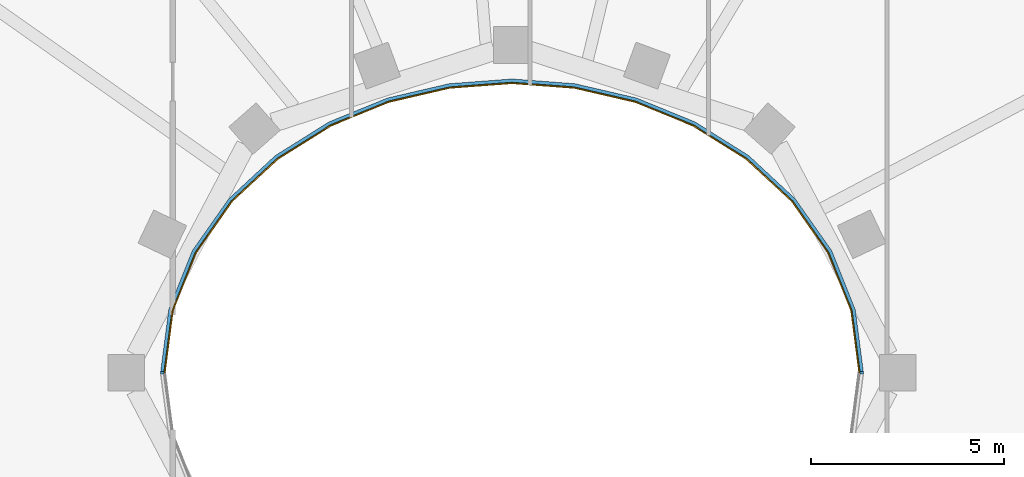
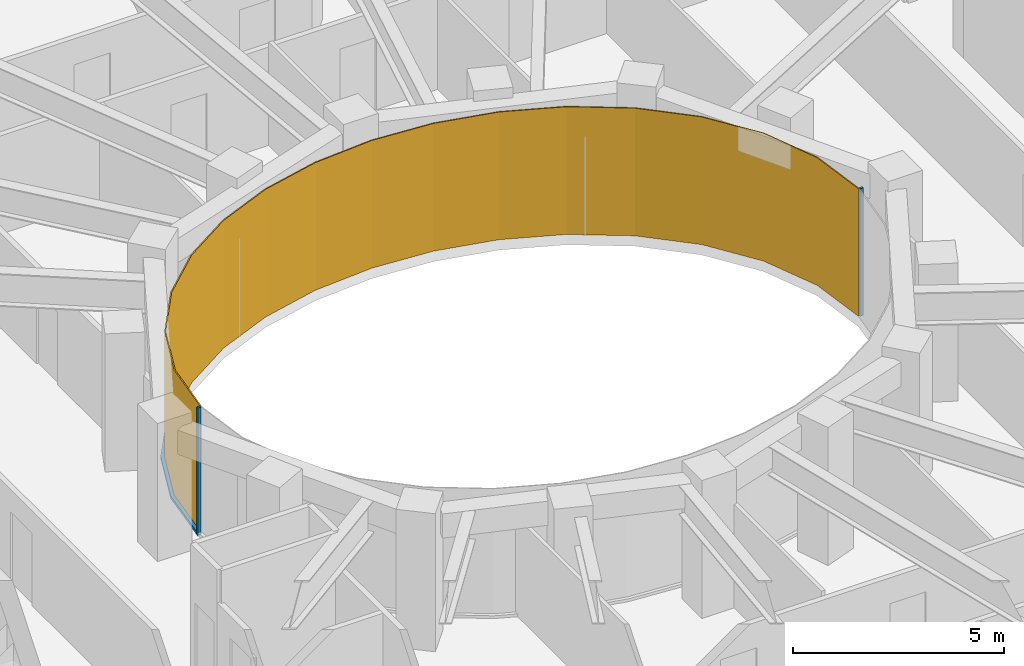
# One storey, part 13 of 17: 3 members, 1 curtain wall.
"""IFC4 building model written with IfcOpenShell, lengths in metres."""

import ifcopenshell
import ifcopenshell.guid

model = None  # the IFC model being written
_history = None  # IfcOwnerHistory: only IFC2X3 demands one
_inside = {}  # id of a spatial element -> (the spatial element, [elements in it])
_under = {}  # id of a project, library or spatial element -> (it, [spatial elements below it])
_declared = {}  # id of a project -> (the project, [libraries it declares])
_typed = {}  # id of a type object -> (the type object, [elements of that type])
_made_of = {}  # id of a material, layer set ... -> (it, [elements and type objects made of it])


def new_model(schema):
    """Start an empty IFC model of exactly this schema.

    Asked for "IFC4X3", IfcOpenShell would pick the latest addendum, in which some entities
    have other attributes; the version numbers below select the first issue.
    IFC2X3 requires an IfcOwnerHistory on every rooted entity: one is made here for all.
    """
    global model, _history
    if schema == "IFC4X3":
        model = ifcopenshell.file(schema_version=(4, 3, 0, 0))
    else:
        model = ifcopenshell.file(schema=schema)
    _inside.clear()
    _under.clear()
    _declared.clear()
    _typed.clear()
    _made_of.clear()
    _history = None
    if model.schema == "IFC2X3":
        org = make("IfcOrganization", Name="unknown")
        user = make(
            "IfcPersonAndOrganization",
            ThePerson=make("IfcPerson", FamilyName="unknown"),
            TheOrganization=org,
        )
        app = make(
            "IfcApplication",
            ApplicationDeveloper=org,
            Version="unknown",
            ApplicationFullName="unknown",
            ApplicationIdentifier="unknown",
        )
        _history = make(
            "IfcOwnerHistory",
            OwningUser=user,
            OwningApplication=app,
            ChangeAction="ADDED",
            CreationDate=0,
        )
    return model


def make(cls, **values):
    """One entity of the class cls with the attributes given. An attribute that is None is left unset."""
    return model.create_entity(
        cls, **{name: value for name, value in values.items() if value is not None}
    )


def rooted(cls, **values):
    """An entity with a GlobalId (a new one), such as an element, a storey or a relation."""
    return make(cls, GlobalId=ifcopenshell.guid.new(), OwnerHistory=_history, **values)


def si_unit(unit_type, name, prefix=None):
    """IfcSIUnit, for example si_unit("LENGTHUNIT", "METRE", prefix="MILLI")."""
    return make("IfcSIUnit", UnitType=unit_type, Prefix=prefix, Name=name)


def assignment(units):
    """IfcUnitAssignment: the units of a project."""
    return None if units is None else make("IfcUnitAssignment", Units=units)


def point(xyz):
    """IfcCartesianPoint."""
    return None if xyz is None else make("IfcCartesianPoint", Coordinates=xyz)


def direction(xyz):
    """IfcDirection."""
    return None if xyz is None else make("IfcDirection", DirectionRatios=xyz)


def frame(location, z_axis=None, x_axis=None):
    """IfcAxis2Placement3D, a coordinate frame: its origin and axes. An axis left out is left unset."""
    return make(
        "IfcAxis2Placement3D",
        Location=point(location),
        Axis=direction(z_axis),
        RefDirection=direction(x_axis),
    )


def frame_2d(location, x_axis=None):
    """IfcAxis2Placement2D, a coordinate frame in the plane: its origin and x axis."""
    return make(
        "IfcAxis2Placement2D", Location=point(location), RefDirection=direction(x_axis)
    )


def origin():
    """The frame at (0, 0, 0) with its axes left unset."""
    return frame((0.0, 0.0, 0.0))


def origin_2d():
    """The frame at (0, 0) in the plane with its x axis left unset."""
    return frame_2d((0.0, 0.0))


def place(relative_to, where):
    """IfcLocalPlacement: puts the frame where relative to a parent placement (None: the world)."""
    return make(
        "IfcLocalPlacement", PlacementRelTo=relative_to, RelativePlacement=where
    )


def context(
    kind, dimensions, precision=None, world=None, true_north=None, identifier=None
):
    """IfcGeometricRepresentationContext, for example the 3D "Model" context."""
    return make(
        "IfcGeometricRepresentationContext",
        ContextIdentifier=identifier,
        ContextType=kind,
        CoordinateSpaceDimension=dimensions,
        Precision=precision,
        WorldCoordinateSystem=world,
        TrueNorth=true_north,
    )


def subcontext(parent, identifier, kind, view, scale=None):
    """IfcGeometricRepresentationSubContext, for example "Body" below "Model"."""
    return make(
        "IfcGeometricRepresentationSubContext",
        ContextIdentifier=identifier,
        ContextType=kind,
        ParentContext=parent,
        TargetScale=scale,
        TargetView=view,
    )


def project(units=None, contexts=None):
    """IfcProject with its units and contexts."""
    return rooted(
        "IfcProject",
        Name="project",
        RepresentationContexts=contexts,
        UnitsInContext=assignment(units),
    )


def spatial(cls, under=None, at=None, **own):
    """A site, building, storey or space (cls), placed at a placement, below another one or the project."""
    s = rooted(cls, ObjectPlacement=at, **own)
    if under is not None:
        _under.setdefault(under.id(), (under, []))[1].append(s)
    return s


def polyline(points):
    """IfcPolyline through the points."""
    return make("IfcPolyline", Points=[point(p) for p in points])


def profile(cls, at=None, kind="AREA", **sizes):
    """A parametric profile (cls). Its sizes go by their IFC names, for example OverallWidth=200.0."""
    return make(cls, ProfileType=kind, Position=at, **sizes)


def rectangle(**sizes):
    """IfcRectangleProfileDef."""
    return profile("IfcRectangleProfileDef", **sizes)


def outline(outer, holes=None, kind="AREA"):
    """IfcArbitraryClosedProfileDef: a profile drawn as a closed curve; with holes, ...WithVoids."""
    if holes is None:
        return make("IfcArbitraryClosedProfileDef", ProfileType=kind, OuterCurve=outer)
    return make(
        "IfcArbitraryProfileDefWithVoids",
        ProfileType=kind,
        OuterCurve=outer,
        InnerCurves=holes,
    )


def extrude(swept, where, along, depth):
    """IfcExtrudedAreaSolid: the profile swept, set in the frame where, extruded along a direction by depth."""
    return make(
        "IfcExtrudedAreaSolid",
        SweptArea=swept,
        Position=where,
        ExtrudedDirection=direction(along),
        Depth=depth,
    )


def shape(context_of_items, identifier, shape_type, items):
    """IfcShapeRepresentation: the items that make up one representation, for example the "Body"."""
    return make(
        "IfcShapeRepresentation",
        ContextOfItems=context_of_items,
        RepresentationIdentifier=identifier,
        RepresentationType=shape_type,
        Items=items,
    )


def material(Name=None, Category=None):
    """IfcMaterial."""
    return make("IfcMaterial", Name=Name, Category=Category)


def layer(
    of_material, thickness, ventilated=None, Name=None, Category=None, Priority=None
):
    """IfcMaterialLayer: one layer of a wall or slab, of a material (None: an air gap)."""
    return make(
        "IfcMaterialLayer",
        Material=of_material,
        LayerThickness=thickness,
        IsVentilated=ventilated,
        Name=Name,
        Category=Category,
        Priority=Priority,
    )


def layer_set(layers, Name=None):
    """IfcMaterialLayerSet."""
    return make("IfcMaterialLayerSet", MaterialLayers=layers, LayerSetName=Name)


def material_profile(
    of_material, cross_section, Name=None, Category=None, Priority=None
):
    """IfcMaterialProfile: a cross section and its material."""
    return make(
        "IfcMaterialProfile",
        Name=Name,
        Material=of_material,
        Profile=cross_section,
        Priority=Priority,
        Category=Category,
    )


def profile_set(profiles, Name=None, composite=None):
    """IfcMaterialProfileSet."""
    return make(
        "IfcMaterialProfileSet",
        Name=Name,
        MaterialProfiles=profiles,
        CompositeProfile=composite,
    )


def made_of(thing, what):
    """Note that an element or type object is made of a material, layer set ...; save() writes the relation."""
    if what is not None:
        _made_of.setdefault(what.id(), (what, []))[1].append(thing)
    return thing


def type_object(cls, material=None, **own):
    """A type object (cls), such as IfcWallType, which elements share."""
    return made_of(rooted(cls, **own), material)


def element(
    cls,
    number,
    at=None,
    inside=None,
    cuts=None,
    type_object=None,
    material=None,
    context=None,
    identifier="Body",
    shape_type=None,
    held_by="IfcProductDefinitionShape",
    body=None,
    shapes=None,
    **own,
):
    """One element of the class cls, such as IfcWall. Its Tag is "e" and its number.

    at: its placement. inside: the storey or other place that contains it. cuts: it is an
    opening in that element (IfcRelVoidsElement). A single representation is given by context,
    identifier, shape_type and body (its items); several are given by shapes. held_by: the class
    of the entity that holds the representations. save() writes the other relations.
    """
    e = rooted(cls, Tag="e%d" % number, ObjectPlacement=at, **own)
    if body is not None:
        shapes = [shape(context, identifier, shape_type, body)]
    if shapes is not None:
        e.Representation = make(held_by, Representations=shapes)
    if inside is not None:
        _inside.setdefault(inside.id(), (inside, []))[1].append(e)
    if cuts is not None:
        rooted(
            "IfcRelVoidsElement", RelatingBuildingElement=cuts, RelatedOpeningElement=e
        )
    if type_object is not None:
        _typed.setdefault(type_object.id(), (type_object, []))[1].append(e)
    return made_of(e, material)


def aggregate(whole, parts):
    """IfcRelAggregates: a whole, such as a stair, and the parts it consists of."""
    return rooted("IfcRelAggregates", RelatingObject=whole, RelatedObjects=parts)


def save(model, path):
    """Write the relations noted so far, then the file.

    IfcRelAggregates (storeys below a building ...), IfcRelContainedInSpatialStructure (elements
    in a storey), IfcRelDefinesByType, IfcRelAssociatesMaterial and IfcRelDeclares: one each for
    every whole, place, type object, material and project.
    """
    for whole, parts in _under.values():
        aggregate(whole, parts)
    for where, things in _inside.values():
        rooted(
            "IfcRelContainedInSpatialStructure",
            RelatedElements=things,
            RelatingStructure=where,
        )
    for kind, things in _typed.values():
        rooted("IfcRelDefinesByType", RelatedObjects=things, RelatingType=kind)
    for what, things in _made_of.values():
        rooted("IfcRelAssociatesMaterial", RelatedObjects=things, RelatingMaterial=what)
    for by, libraries in _declared.values():
        rooted("IfcRelDeclares", RelatingContext=by, RelatedDefinitions=libraries)
    model.write(path)


model = new_model("IFC4")

# Units and contexts
model_context = context("Model", 3, precision=1e-05, world=origin(), true_north=direction((0.0, 1.0)))
body_context = subcontext(model_context, "Body", "Model", "MODEL_VIEW")
ifc_project = project(units=[si_unit("LENGTHUNIT", "METRE"), si_unit("AREAUNIT", "SQUARE_METRE"), si_unit("VOLUMEUNIT", "CUBIC_METRE"), si_unit("PLANEANGLEUNIT", "RADIAN"), si_unit("MASSUNIT", "GRAM", prefix="KILO")], contexts=[model_context])

# Member
ifc_material_1 = material(Name="Steel S355 fire-resisting frame", Category="steel")
ifc_material_profile = material_profile(ifc_material_1, rectangle(XDim=0.090087890625, YDim=0.06005859375, at=origin_2d()), Name="90x60")
ifc_profile_set = profile_set([ifc_material_profile], Name="Steel S355 fire-resisting frame")
member_type_1 = type_object("IfcMemberType", Name="ENV-MULLION-W-90", PredefinedType="MULLION", material=ifc_profile_set)
site_placement = place(None, origin())
building_placement = place(site_placement, origin())
storey_placement = place(building_placement, frame((0.0, 0.0, 269.5)))
member_1_placement = place(storey_placement, frame((9.076904296875, 0.0, 0.0), z_axis=(0.0, 0.0, 1.0), x_axis=(1.0, 0.0, 0.0)))
member_1 = element("IfcMember", 1, at=member_1_placement, type_object=member_type_1, Name="Mullion W well vertex 01", PredefinedType="MULLION", context=body_context, shape_type="SweptSolid", body=[
    extrude(rectangle(XDim=0.090087890625, YDim=0.06005859375, at=origin_2d()), origin(), (0.0, 0.0, 1.0), 3.699951171875),
])

member_2_placement = place(storey_placement, frame((-9.076904296875, 0.0, 0.0), z_axis=(0.0, 0.0, 1.0), x_axis=(-1.0, 0.0, 0.0)))
member_2 = element("IfcMember", 2, at=member_2_placement, type_object=member_type_1, Name="Mullion W well vertex 17", PredefinedType="MULLION", context=body_context, shape_type="SweptSolid", body=[
    extrude(rectangle(XDim=0.090087890625, YDim=0.06005859375, at=origin_2d()), origin(), (0.0, 0.0, 1.0), 3.699951171875),
])

ifc_material_2 = material(Name="Steel S355 fire-resisting frame", Category="steel")
member_type_2 = type_object("IfcMemberType", Name="ENV-TRANSOM-W", PredefinedType="USERDEFINED", material=ifc_material_2)
member_3_placement = place(storey_placement, origin())
member_3 = element("IfcMember", 3, at=member_3_placement, type_object=member_type_2, Name="Transom W well 01-17", ObjectType="TRANSOM", PredefinedType="USERDEFINED", context=body_context, shape_type="SweptSolid", body=[
    extrude(outline(polyline([(9.119384765625, 0.02783203125), (8.910400390625, 1.63623046875), (8.29833984375, 3.167236328125), (7.35107421875, 4.5146484375), (6.1455078125, 5.6337890625), (4.75341796875, 6.50634765625), (3.233642578125, 7.127685546875), (1.635498046875, 7.498779296875), (0.0, 7.622314453125), (-1.635498046875, 7.498779296875), (-3.233642578125, 7.127685546875), (-4.75341796875, 6.50634765625), (-6.1455078125, 5.6337890625), (-7.35107421875, 4.5146484375), (-8.29833984375, 3.167236328125), (-8.910400390625, 1.63623046875), (-9.119384765625, 0.02783203125), (-9.02880859375, 0.02783203125), (-8.822509765625, 1.61328125), (-8.21875, 3.124267578125), (-7.282958984375, 4.455078125), (-6.090576171875, 5.56201171875), (-4.712158203125, 6.426025390625), (-3.206298828125, 7.04150390625), (-1.621826171875, 7.40966796875), (0.0, 7.531982421875), (1.621826171875, 7.40966796875), (3.206298828125, 7.04150390625), (4.712158203125, 6.426025390625), (6.090576171875, 5.56201171875), (7.282958984375, 4.455078125), (8.21875, 3.124267578125), (8.822509765625, 1.61328125), (9.02880859375, 0.02783203125), (9.119384765625, 0.02783203125)])), origin(), (0.0, 0.0, 1.0), 0.080078125),
])

# Site, building, storey
site = spatial("IfcSite", under=ifc_project, at=site_placement, CompositionType="ELEMENT")
building = spatial("IfcBuilding", under=site, at=building_placement, Name="Noorbagh Ring Tower", CompositionType="ELEMENT")
storey = spatial("IfcBuildingStorey", under=building, at=storey_placement, Name="L57", CompositionType="ELEMENT", Elevation=269.5)

# Curtain wall
ifc_material_3 = material(Name="Glass fire-resisting E60 laminated", Category="glass")
ifc_layer = layer(ifc_material_3, 0.031982421875)
ifc_layer_set = layer_set([ifc_layer], Name="Glass fire-resisting E60 laminated")
curtain_wall_type = type_object("IfcCurtainWallType", Name="ENV-CW-W", PredefinedType="NOTDEFINED", material=ifc_layer_set)
curtain_wall_placement = place(storey_placement, origin())
curtain_wall = element("IfcCurtainWall", 4, at=curtain_wall_placement, inside=storey, type_object=curtain_wall_type, Name="Curtain wall W W01", PredefinedType="NOTDEFINED", context=body_context, shape_type="SweptSolid", body=[
    extrude(outline(polyline([(9.0322265625, 0.0), (8.822509765625, 1.61328125), (8.21875, 3.124267578125), (7.282958984375, 4.455078125), (6.090576171875, 5.56201171875), (4.712158203125, 6.426025390625), (3.206298828125, 7.04150390625), (1.621826171875, 7.40966796875), (0.0, 7.531982421875), (-1.621826171875, 7.40966796875), (-3.206298828125, 7.04150390625), (-4.712158203125, 6.426025390625), (-6.090576171875, 5.56201171875), (-7.282958984375, 4.455078125), (-8.21875, 3.124267578125), (-8.822509765625, 1.61328125), (-9.0322265625, 0.0), (-9.0, 0.0), (-8.79150390625, 1.605224609375), (-8.1904296875, 3.10888671875), (-7.2587890625, 4.43408203125), (-6.071044921875, 5.53662109375), (-4.697509765625, 6.3974609375), (-3.196533203125, 7.010986328125), (-1.6171875, 7.3779296875), (0.0, 7.5), (1.6171875, 7.3779296875), (3.196533203125, 7.010986328125), (4.697509765625, 6.3974609375), (6.071044921875, 5.53662109375), (7.2587890625, 4.43408203125), (8.1904296875, 3.10888671875), (8.79150390625, 1.605224609375), (9.0, 0.0), (9.0322265625, 0.0)])), origin(), (0.0, 0.0, 1.0), 3.699951171875),
])

aggregate(curtain_wall, [member_1, member_2, member_3])

save(model, "model.ifc")
